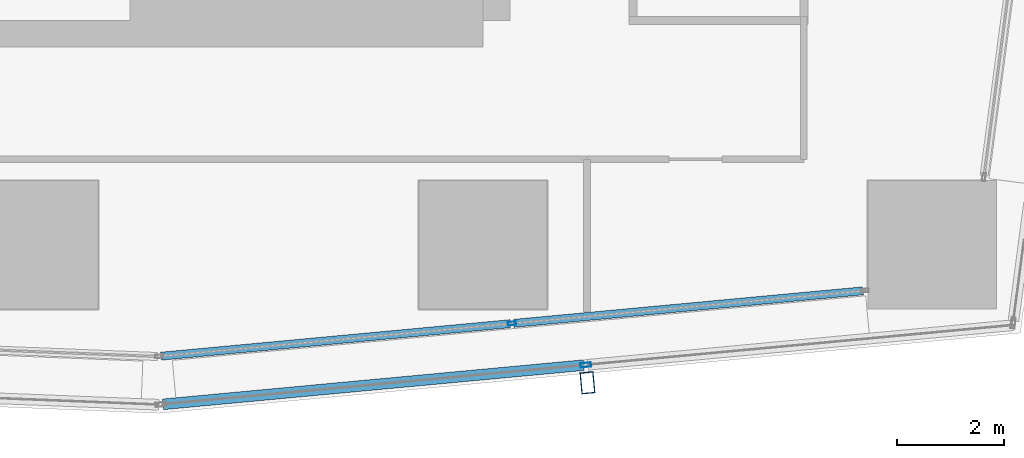
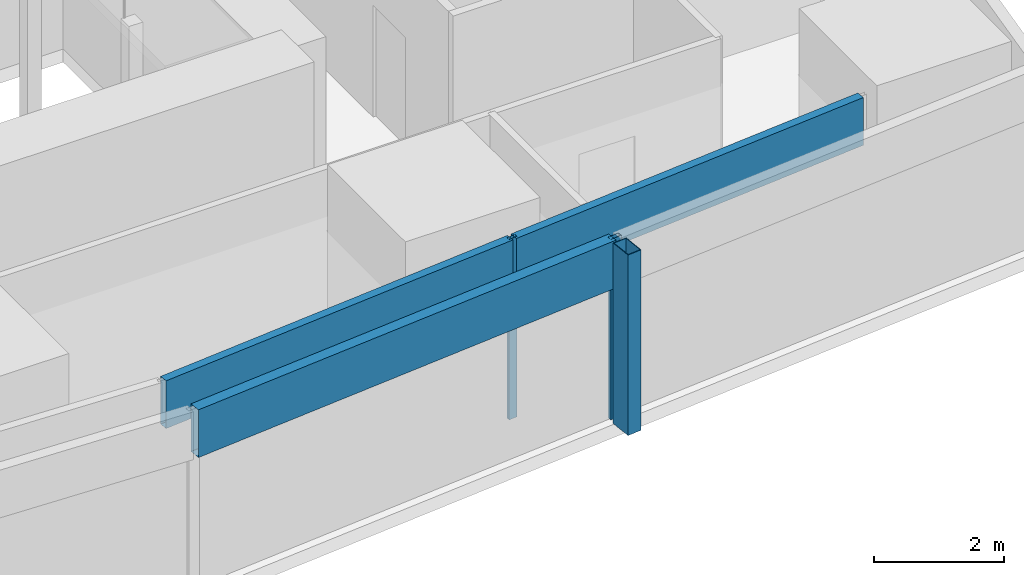
# One storey, part 9 of 34: 6 members, 2 elements without a shape of their own.
"""IFC4 building model written with IfcOpenShell, lengths in metres."""

import ifcopenshell
import ifcopenshell.guid

model = None  # the IFC model being written
_history = None  # IfcOwnerHistory: only IFC2X3 demands one
_inside = {}  # id of a spatial element -> (the spatial element, [elements in it])
_under = {}  # id of a project, library or spatial element -> (it, [spatial elements below it])
_declared = {}  # id of a project -> (the project, [libraries it declares])
_typed = {}  # id of a type object -> (the type object, [elements of that type])
_made_of = {}  # id of a material, layer set ... -> (it, [elements and type objects made of it])


def new_model(schema):
    """Start an empty IFC model of exactly this schema.

    Asked for "IFC4X3", IfcOpenShell would pick the latest addendum, in which some entities
    have other attributes; the version numbers below select the first issue.
    IFC2X3 requires an IfcOwnerHistory on every rooted entity: one is made here for all.
    """
    global model, _history
    if schema == "IFC4X3":
        model = ifcopenshell.file(schema_version=(4, 3, 0, 0))
    else:
        model = ifcopenshell.file(schema=schema)
    _inside.clear()
    _under.clear()
    _declared.clear()
    _typed.clear()
    _made_of.clear()
    _history = None
    if model.schema == "IFC2X3":
        org = make("IfcOrganization", Name="unknown")
        user = make(
            "IfcPersonAndOrganization",
            ThePerson=make("IfcPerson", FamilyName="unknown"),
            TheOrganization=org,
        )
        app = make(
            "IfcApplication",
            ApplicationDeveloper=org,
            Version="unknown",
            ApplicationFullName="unknown",
            ApplicationIdentifier="unknown",
        )
        _history = make(
            "IfcOwnerHistory",
            OwningUser=user,
            OwningApplication=app,
            ChangeAction="ADDED",
            CreationDate=0,
        )
    return model


def make(cls, **values):
    """One entity of the class cls with the attributes given. An attribute that is None is left unset."""
    return model.create_entity(
        cls, **{name: value for name, value in values.items() if value is not None}
    )


def rooted(cls, **values):
    """An entity with a GlobalId (a new one), such as an element, a storey or a relation."""
    return make(cls, GlobalId=ifcopenshell.guid.new(), OwnerHistory=_history, **values)


def si_unit(unit_type, name, prefix=None):
    """IfcSIUnit, for example si_unit("LENGTHUNIT", "METRE", prefix="MILLI")."""
    return make("IfcSIUnit", UnitType=unit_type, Prefix=prefix, Name=name)


def assignment(units):
    """IfcUnitAssignment: the units of a project."""
    return None if units is None else make("IfcUnitAssignment", Units=units)


def point(xyz):
    """IfcCartesianPoint."""
    return None if xyz is None else make("IfcCartesianPoint", Coordinates=xyz)


def direction(xyz):
    """IfcDirection."""
    return None if xyz is None else make("IfcDirection", DirectionRatios=xyz)


def frame(location, z_axis=None, x_axis=None):
    """IfcAxis2Placement3D, a coordinate frame: its origin and axes. An axis left out is left unset."""
    return make(
        "IfcAxis2Placement3D",
        Location=point(location),
        Axis=direction(z_axis),
        RefDirection=direction(x_axis),
    )


def frame_2d(location, x_axis=None):
    """IfcAxis2Placement2D, a coordinate frame in the plane: its origin and x axis."""
    return make(
        "IfcAxis2Placement2D", Location=point(location), RefDirection=direction(x_axis)
    )


def origin():
    """The frame at (0, 0, 0) with its axes left unset."""
    return frame((0.0, 0.0, 0.0))


def origin_2d():
    """The frame at (0, 0) in the plane with its x axis left unset."""
    return frame_2d((0.0, 0.0))


def place(relative_to, where):
    """IfcLocalPlacement: puts the frame where relative to a parent placement (None: the world)."""
    return make(
        "IfcLocalPlacement", PlacementRelTo=relative_to, RelativePlacement=where
    )


def context(
    kind, dimensions, precision=None, world=None, true_north=None, identifier=None
):
    """IfcGeometricRepresentationContext, for example the 3D "Model" context."""
    return make(
        "IfcGeometricRepresentationContext",
        ContextIdentifier=identifier,
        ContextType=kind,
        CoordinateSpaceDimension=dimensions,
        Precision=precision,
        WorldCoordinateSystem=world,
        TrueNorth=true_north,
    )


def subcontext(parent, identifier, kind, view, scale=None):
    """IfcGeometricRepresentationSubContext, for example "Body" below "Model"."""
    return make(
        "IfcGeometricRepresentationSubContext",
        ContextIdentifier=identifier,
        ContextType=kind,
        ParentContext=parent,
        TargetScale=scale,
        TargetView=view,
    )


def project(units=None, contexts=None):
    """IfcProject with its units and contexts."""
    return rooted(
        "IfcProject",
        Name="project",
        RepresentationContexts=contexts,
        UnitsInContext=assignment(units),
    )


def spatial(cls, under=None, at=None, **own):
    """A site, building, storey or space (cls), placed at a placement, below another one or the project."""
    s = rooted(cls, ObjectPlacement=at, **own)
    if under is not None:
        _under.setdefault(under.id(), (under, []))[1].append(s)
    return s


def profile(cls, at=None, kind="AREA", **sizes):
    """A parametric profile (cls). Its sizes go by their IFC names, for example OverallWidth=200.0."""
    return make(cls, ProfileType=kind, Position=at, **sizes)


def hollow_rectangle(**sizes):
    """IfcRectangleHollowProfileDef."""
    return profile("IfcRectangleHollowProfileDef", **sizes)


def extrude(swept, where, along, depth):
    """IfcExtrudedAreaSolid: the profile swept, set in the frame where, extruded along a direction by depth."""
    return make(
        "IfcExtrudedAreaSolid",
        SweptArea=swept,
        Position=where,
        ExtrudedDirection=direction(along),
        Depth=depth,
    )


def shape(context_of_items, identifier, shape_type, items):
    """IfcShapeRepresentation: the items that make up one representation, for example the "Body"."""
    return make(
        "IfcShapeRepresentation",
        ContextOfItems=context_of_items,
        RepresentationIdentifier=identifier,
        RepresentationType=shape_type,
        Items=items,
    )


def material(Name=None, Category=None):
    """IfcMaterial."""
    return make("IfcMaterial", Name=Name, Category=Category)


def material_profile(
    of_material, cross_section, Name=None, Category=None, Priority=None
):
    """IfcMaterialProfile: a cross section and its material."""
    return make(
        "IfcMaterialProfile",
        Name=Name,
        Material=of_material,
        Profile=cross_section,
        Priority=Priority,
        Category=Category,
    )


def profile_set(profiles, Name=None, composite=None):
    """IfcMaterialProfileSet."""
    return make(
        "IfcMaterialProfileSet",
        Name=Name,
        MaterialProfiles=profiles,
        CompositeProfile=composite,
    )


def made_of(thing, what):
    """Note that an element or type object is made of a material, layer set ...; save() writes the relation."""
    if what is not None:
        _made_of.setdefault(what.id(), (what, []))[1].append(thing)
    return thing


def type_object(cls, material=None, **own):
    """A type object (cls), such as IfcWallType, which elements share."""
    return made_of(rooted(cls, **own), material)


def element(
    cls,
    number,
    at=None,
    inside=None,
    cuts=None,
    type_object=None,
    material=None,
    context=None,
    identifier="Body",
    shape_type=None,
    held_by="IfcProductDefinitionShape",
    body=None,
    shapes=None,
    **own,
):
    """One element of the class cls, such as IfcWall. Its Tag is "e" and its number.

    at: its placement. inside: the storey or other place that contains it. cuts: it is an
    opening in that element (IfcRelVoidsElement). A single representation is given by context,
    identifier, shape_type and body (its items); several are given by shapes. held_by: the class
    of the entity that holds the representations. save() writes the other relations.
    """
    e = rooted(cls, Tag="e%d" % number, ObjectPlacement=at, **own)
    if body is not None:
        shapes = [shape(context, identifier, shape_type, body)]
    if shapes is not None:
        e.Representation = make(held_by, Representations=shapes)
    if inside is not None:
        _inside.setdefault(inside.id(), (inside, []))[1].append(e)
    if cuts is not None:
        rooted(
            "IfcRelVoidsElement", RelatingBuildingElement=cuts, RelatedOpeningElement=e
        )
    if type_object is not None:
        _typed.setdefault(type_object.id(), (type_object, []))[1].append(e)
    return made_of(e, material)


def aggregate(whole, parts):
    """IfcRelAggregates: a whole, such as a stair, and the parts it consists of."""
    return rooted("IfcRelAggregates", RelatingObject=whole, RelatedObjects=parts)


def save(model, path):
    """Write the relations noted so far, then the file.

    IfcRelAggregates (storeys below a building ...), IfcRelContainedInSpatialStructure (elements
    in a storey), IfcRelDefinesByType, IfcRelAssociatesMaterial and IfcRelDeclares: one each for
    every whole, place, type object, material and project.
    """
    for whole, parts in _under.values():
        aggregate(whole, parts)
    for where, things in _inside.values():
        rooted(
            "IfcRelContainedInSpatialStructure",
            RelatedElements=things,
            RelatingStructure=where,
        )
    for kind, things in _typed.values():
        rooted("IfcRelDefinesByType", RelatedObjects=things, RelatingType=kind)
    for what, things in _made_of.values():
        rooted("IfcRelAssociatesMaterial", RelatedObjects=things, RelatingMaterial=what)
    for by, libraries in _declared.values():
        rooted("IfcRelDeclares", RelatingContext=by, RelatedDefinitions=libraries)
    model.write(path)


model = new_model("IFC4")

# Units and contexts
model_context = context("Model", 3, precision=1e-05, world=origin(), true_north=direction((0.0, 1.0)))
body_context = subcontext(model_context, "Body", "Model", "MODEL_VIEW")
ifc_project = project(units=[si_unit("LENGTHUNIT", "METRE"), si_unit("AREAUNIT", "SQUARE_METRE"), si_unit("VOLUMEUNIT", "CUBIC_METRE"), si_unit("PLANEANGLEUNIT", "RADIAN"), si_unit("MASSUNIT", "GRAM", prefix="KILO")], contexts=[model_context])

# Site, building, storey
site_placement = place(None, origin())
site = spatial("IfcSite", under=ifc_project, at=site_placement, CompositionType="ELEMENT")
building_placement = place(site_placement, origin())
building = spatial("IfcBuilding", under=site, at=building_placement, Name="Rekha Terrace Tower", CompositionType="ELEMENT")
storey_placement = place(building_placement, frame((0.0, 0.0, 236.449951171875)))
storey = spatial("IfcBuildingStorey", under=building, at=storey_placement, Name="L60", CompositionType="ELEMENT", Elevation=236.449951171875)

# Curtain wall, member
ifc_material_1 = material(Name="Aluminium framing", Category="aluminium")
curtain_wall_type_1 = type_object("IfcCurtainWallType", Name="CW2 double skin outer glazing", PredefinedType="USERDEFINED", material=ifc_material_1)
curtain_wall_1_placement = place(storey_placement, origin())
curtain_wall_1 = element("IfcCurtainWall", 1, at=curtain_wall_1_placement, inside=storey, type_object=curtain_wall_type_1, Name="CW2 double skin outer glazing", ObjectType="DOUBLE SKIN OUTER GLAZING", PredefinedType="USERDEFINED")
ifc_material_2 = material(Name="Steel S355 with fluorocarbon finish", Category="steel")
ifc_material_profile_1 = material_profile(ifc_material_2, hollow_rectangle(XDim=0.25, YDim=0.39990234375, WallThickness=0.012451171875, at=origin_2d()), Name="RHS400x250x12.5")
ifc_profile_set_1 = profile_set([ifc_material_profile_1], Name="Steel S355 with fluorocarbon finish")
member_type_1 = type_object("IfcMemberType", Name="BL1 facade blade RHS 400 x 250", PredefinedType="USERDEFINED", material=ifc_profile_set_1)
member_1_placement = place(storey_placement, frame((52.35302734375, 14.22021484375, 0.0), z_axis=(0.0, 0.0, 1.0), x_axis=(0.995693203185, 0.092709466242, 0.0)))
member_1 = element("IfcMember", 2, at=member_1_placement, type_object=member_type_1, Name="Facade blade", ObjectType="FACADE BLADE", PredefinedType="USERDEFINED", context=body_context, shape_type="SweptSolid", body=[
    extrude(hollow_rectangle(XDim=0.25, YDim=0.39990234375, WallThickness=0.012451171875, at=origin_2d()), origin(), (0.0, 0.0, 1.0), 3.400146484375),
])

# Curtain wall, members
curtain_wall_type_2 = type_object("IfcCurtainWallType", Name="CW1 double skin inner glazing", PredefinedType="USERDEFINED", material=ifc_material_1)
curtain_wall_2_placement = place(storey_placement, origin())
curtain_wall_2 = element("IfcCurtainWall", 3, at=curtain_wall_2_placement, inside=storey, type_object=curtain_wall_type_2, Name="CW1 double skin inner glazing", ObjectType="DOUBLE SKIN INNER GLAZING", PredefinedType="USERDEFINED")
ifc_material_3 = material(Name="Aluminium mullion section", Category="aluminium")
ifc_material_profile_2 = material_profile(ifc_material_3, hollow_rectangle(XDim=0.06494140625, YDim=0.14990234375, WallThickness=0.00390625, at=origin_2d()), Name="AL RHS 65x150")
ifc_profile_set_2 = profile_set([ifc_material_profile_2], Name="Aluminium mullion section")
member_type_2 = type_object("IfcMemberType", Name="CW1 mullion RHS 65 x 150", PredefinedType="MULLION", material=ifc_profile_set_2)
member_2_placement = place(storey_placement, frame((50.941650390625, 15.329345703125, 0.0), z_axis=(0.0, 0.0, 1.0), x_axis=(-0.092708869546, 0.995693258744, 0.0)))
member_2 = element("IfcMember", 4, at=member_2_placement, type_object=member_type_2, Name="CW1 mullion 2", PredefinedType="MULLION", context=body_context, shape_type="SweptSolid", body=[
    extrude(hollow_rectangle(XDim=0.06494140625, YDim=0.14990234375, WallThickness=0.00390625, at=origin_2d()), origin(), (0.0, 0.0, 1.0), 3.400146484375),
])
ifc_material_4 = material(Name="Insulated aluminium spandrel box", Category="aluminium")
ifc_material_profile_3 = material_profile(ifc_material_4, hollow_rectangle(XDim=0.14990234375, YDim=0.89990234375, WallThickness=0.0029296875, at=origin_2d()), Name="AL SPANDREL BOX 150x900")
ifc_profile_set_3 = profile_set([ifc_material_profile_3], Name="Insulated aluminium spandrel box")
member_type_3 = type_object("IfcMemberType", Name="CW1 spandrel transom 150 x 900", PredefinedType="USERDEFINED", material=ifc_profile_set_3)
member_3_placement = place(storey_placement, frame((44.376708984375, 14.718017578125, 2.949951171875), z_axis=(0.995694429276, 0.092696297168, 0.0), x_axis=(-0.092696297168, 0.995694429276, 0.0)))
member_3 = element("IfcMember", 5, at=member_3_placement, type_object=member_type_3, Name="CW1 spandrel transom 1", ObjectType="TRANSOM", PredefinedType="USERDEFINED", context=body_context, shape_type="SweptSolid", body=[
    extrude(hollow_rectangle(XDim=0.14990234375, YDim=0.89990234375, WallThickness=0.0029296875, at=origin_2d()), origin(), (0.0, 0.0, 1.0), 6.560791015625),
])
member_4_placement = place(storey_placement, frame((50.973876953125, 15.332275390625, 2.949951171875), z_axis=(0.99569474901, 0.092692862687, 0.0), x_axis=(-0.092692862687, 0.99569474901, 0.0)))
member_4 = element("IfcMember", 6, at=member_4_placement, type_object=member_type_3, Name="CW1 spandrel transom 2", ObjectType="TRANSOM", PredefinedType="USERDEFINED", context=body_context, shape_type="SweptSolid", body=[
    extrude(hollow_rectangle(XDim=0.14990234375, YDim=0.89990234375, WallThickness=0.0029296875, at=origin_2d()), origin(), (0.0, 0.0, 1.0), 6.56103515625),
])
aggregate(curtain_wall_2, [member_2, member_3, member_4])

# Member
ifc_material_profile_4 = material_profile(ifc_material_3, hollow_rectangle(XDim=0.080078125, YDim=0.199951171875, WallThickness=0.00390625, at=origin_2d()), Name="AL RHS 80x200")
ifc_profile_set_4 = profile_set([ifc_material_profile_4], Name="Aluminium mullion section")
member_type_4 = type_object("IfcMemberType", Name="CW2 mullion RHS 80 x 200", PredefinedType="MULLION", material=ifc_profile_set_4)
member_5_placement = place(storey_placement, frame((52.322021484375, 14.553955078125, 0.0), z_axis=(0.0, 0.0, 1.0), x_axis=(-0.092708869512, 0.995693258747, 0.0)))
member_5 = element("IfcMember", 7, at=member_5_placement, type_object=member_type_4, Name="CW2 mullion 2", PredefinedType="MULLION", context=body_context, shape_type="SweptSolid", body=[
    extrude(hollow_rectangle(XDim=0.080078125, YDim=0.199951171875, WallThickness=0.00390625, at=origin_2d()), origin(), (0.0, 0.0, 1.0), 3.400146484375),
])

ifc_material_profile_5 = material_profile(ifc_material_4, hollow_rectangle(XDim=0.199951171875, YDim=0.89990234375, WallThickness=0.0029296875, at=origin_2d()), Name="AL SPANDREL BOX 200x900")
ifc_profile_set_5 = profile_set([ifc_material_profile_5], Name="Insulated aluminium spandrel box")
member_type_5 = type_object("IfcMemberType", Name="CW2 spandrel transom 200 x 900", PredefinedType="USERDEFINED", material=ifc_profile_set_5)
member_6_placement = place(storey_placement, frame((44.41552734375, 13.817626953125, 2.949951171875), z_axis=(0.995690937161, 0.092733799963, 0.0), x_axis=(-0.092733799963, 0.995690937161, 0.0)))
member_6 = element("IfcMember", 8, at=member_6_placement, type_object=member_type_5, Name="CW2 spandrel transom 1", ObjectType="TRANSOM", PredefinedType="USERDEFINED", context=body_context, shape_type="SweptSolid", body=[
    extrude(hollow_rectangle(XDim=0.199951171875, YDim=0.89990234375, WallThickness=0.0029296875, at=origin_2d()), origin(), (0.0, 0.0, 1.0), 7.900634765625),
])

aggregate(curtain_wall_1, [member_5, member_6, member_1])

save(model, "model.ifc")
